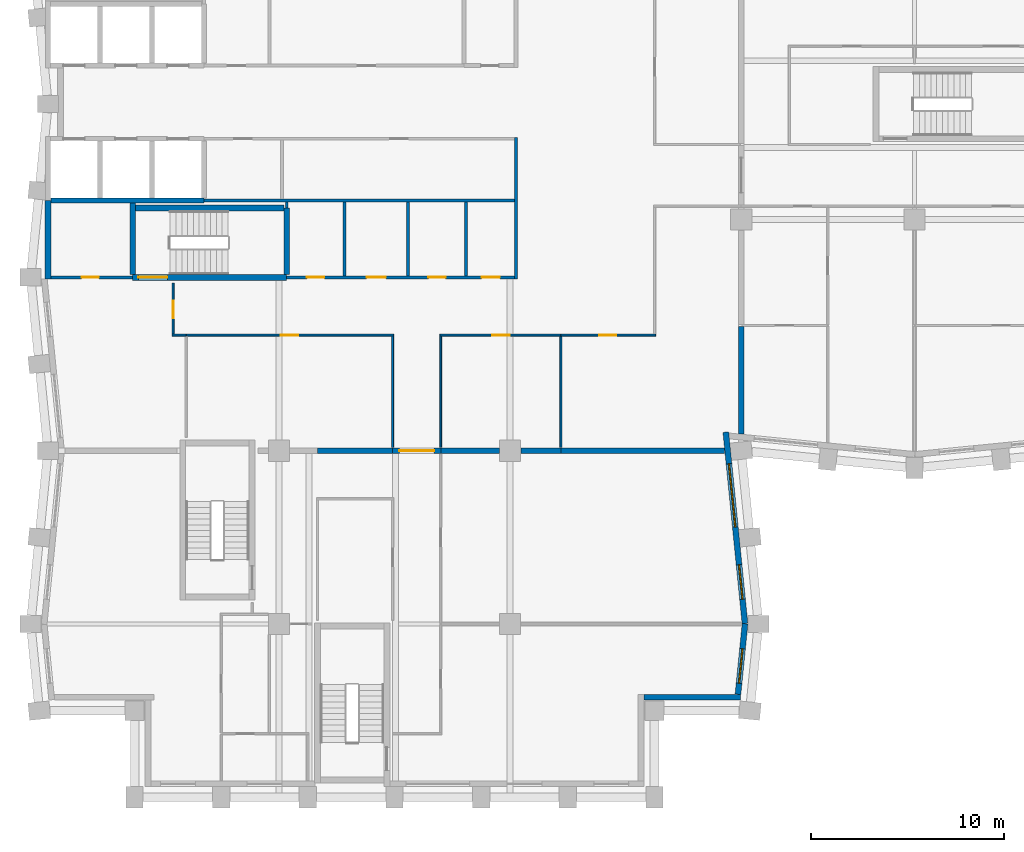
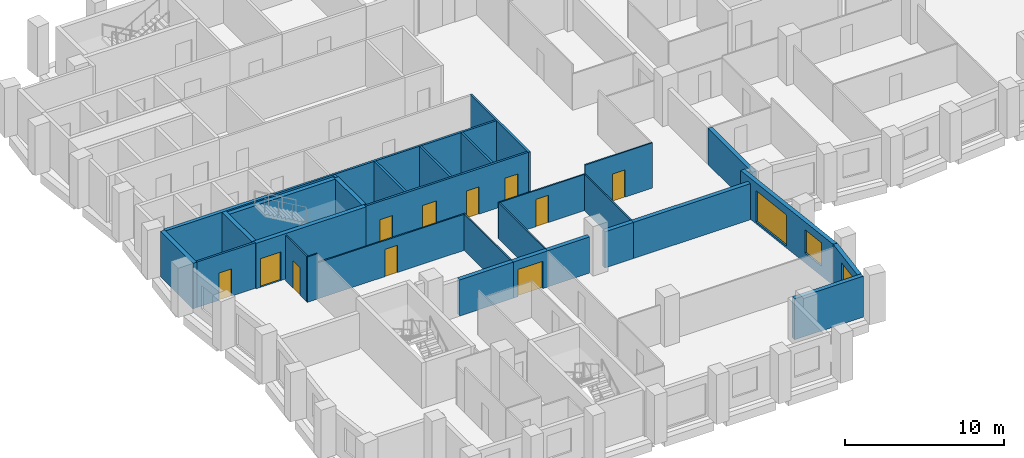
# One storey, part 4 of 10: 31 walls, 11 doors, 3 windows, 14 openings.
"""IFC4 building model written with IfcOpenShell, lengths in metres."""

from ifc_helpers import new_model, si_unit, direction, frame, frame_2d, origin, place, context, subcontext, project, spatial, rectangle, extrude, material, layer, layer_set, type_object, element, fill, save


model = new_model("IFC4")

# Units and contexts
model_context = context("Model", 3, precision=1e-05, world=origin(), true_north=direction((0.0, 1.0)))
body_context = subcontext(model_context, "Body", "Model", "MODEL_VIEW")
ifc_project = project(units=[si_unit("LENGTHUNIT", "METRE"), si_unit("AREAUNIT", "SQUARE_METRE"), si_unit("VOLUMEUNIT", "CUBIC_METRE"), si_unit("PLANEANGLEUNIT", "RADIAN"), si_unit("MASSUNIT", "GRAM", prefix="KILO")], contexts=[model_context])

# Site, building, storey
site_placement = place(None, origin())
site = spatial("IfcSite", under=ifc_project, at=site_placement, CompositionType="ELEMENT")
building_placement = place(site_placement, origin())
building = spatial("IfcBuilding", under=site, at=building_placement, Name="Brondeck Convention Tower", CompositionType="ELEMENT")
storey_placement = place(building_placement, frame((0.0, 0.0, 166.199951171875)))
storey = spatial("IfcBuildingStorey", under=building, at=storey_placement, Name="L40", CompositionType="ELEMENT", Elevation=166.199951171875)

# Wall
ifc_material_1 = material(Name="Concrete compartment wall C30/37", Category="concrete")
ifc_layer_1 = layer(ifc_material_1, 0.300048828125)
ifc_layer_set_1 = layer_set([ifc_layer_1], Name="Compartment wall 300")
wall_type_1 = type_object("IfcWallType", Name="Compartment wall 300", PredefinedType="PARTITIONING", material=ifc_layer_set_1)
wall_1_placement = place(storey_placement, frame((14.0, 27.0, 0.0), z_axis=(0.0, 0.0, 1.0), x_axis=(1.0, 0.0, 0.0)))
element("IfcWall", 1, at=wall_1_placement, inside=storey, type_object=wall_type_1, Name="FLR-L40-W023", PredefinedType="PARTITIONING", context=body_context, shape_type="SweptSolid", body=[
    extrude(rectangle(XDim=3.89990234375, YDim=0.300048828125, at=frame_2d((1.949951171875, 0.0))), origin(), (0.0, 0.0, 1.0), 2.780029296875),
])

# Wall, opening, door
wall_2_placement = place(storey_placement, frame((20.39990234375, 27.0, 0.0), z_axis=(0.0, 0.0, 1.0), x_axis=(-1.0, 0.0, 0.0)))
wall_2 = element("IfcWall", 2, at=wall_2_placement, inside=storey, type_object=wall_type_1, Name="FLR-L40-W024", PredefinedType="PARTITIONING", context=body_context, shape_type="SweptSolid", body=[
    extrude(rectangle(XDim=2.5, YDim=0.300048828125, at=frame_2d((1.25, 0.0))), origin(), (0.0, 0.0, 1.0), 2.780029296875),
])
opening_1_placement = place(wall_2_placement, frame((0.35009765625, 0.0, 0.0)))
opening_1 = element("IfcOpeningElement", 3, at=opening_1_placement, cuts=wall_2, Name="Opening OF-H-022", PredefinedType="OPENING", context=body_context, shape_type="SweptSolid", body=[
    extrude(rectangle(XDim=1.800048828125, YDim=2.10009765625, at=frame_2d((0.89990234375, 1.050048828125))), frame((0.0, 0.159912109375, 0.0), z_axis=(0.0, -1.0, 0.0), x_axis=(1.0, 0.0, 0.0)), (0.0, 0.0, 1.0), 0.320068359375),
])
ifc_material_2 = material(Name="Steel fire door pair", Category="steel")
door_type_1 = type_object("IfcDoorType", Name="Fire door pair 1800", OperationType="DOUBLE_DOOR_SINGLE_SWING", PredefinedType="DOOR", material=ifc_material_2)
door_1_placement = place(opening_1_placement, origin())
door_1 = element("IfcDoor", 4, at=door_1_placement, inside=storey, type_object=door_type_1, Name="Door OF-H-022", OperationType="DOUBLE_DOOR_SINGLE_SWING", OverallHeight=2.10009765625, OverallWidth=1.800048828125, PredefinedType="DOOR", context=body_context, shape_type="SweptSolid", body=[
    extrude(rectangle(XDim=1.800048828125, YDim=2.10009765625, at=frame_2d((0.89990234375, 1.050048828125))), frame((0.0, 0.02490234375, 0.0), z_axis=(0.0, -1.0, 0.0), x_axis=(1.0, 0.0, 0.0)), (0.0, 0.0, 1.0), 0.050048828125),
])
fill(opening_1, door_1)

# Walls
wall_3_placement = place(storey_placement, frame((20.39990234375, 27.0, 0.0), z_axis=(0.0, 0.0, 1.0), x_axis=(1.0, 0.0, 0.0)))
element("IfcWall", 5, at=wall_3_placement, inside=storey, type_object=wall_type_1, Name="FLR-L40-W025", PredefinedType="PARTITIONING", context=body_context, shape_type="SweptSolid", body=[
    extrude(rectangle(XDim=3.045166015625, YDim=0.300048828125, at=frame_2d((1.5224609375, 0.0))), origin(), (0.0, 0.0, 1.0), 2.780029296875),
])
wall_4_placement = place(storey_placement, frame((24.554931640625, 27.0, 0.0), z_axis=(0.0, 0.0, 1.0), x_axis=(1.0, 0.0, 0.0)))
element("IfcWall", 6, at=wall_4_placement, inside=storey, type_object=wall_type_1, Name="FLR-L40-W026", PredefinedType="PARTITIONING", context=body_context, shape_type="SweptSolid", body=[
    extrude(rectangle(XDim=2.0849609375, YDim=0.300048828125, at=frame_2d((1.04248046875, 0.0))), origin(), (0.0, 0.0, 1.0), 2.780029296875),
])
wall_5_placement = place(storey_placement, frame((26.639892578125, 27.0, 0.0), z_axis=(0.0, 0.0, 1.0), x_axis=(1.0, 0.0, 0.0)))
element("IfcWall", 7, at=wall_5_placement, inside=storey, type_object=wall_type_1, Name="FLR-L40-W027", PredefinedType="PARTITIONING", context=body_context, shape_type="SweptSolid", body=[
    extrude(rectangle(XDim=8.48583984375, YDim=0.300048828125, at=frame_2d((4.242919921875, 0.0))), origin(), (0.0, 0.0, 1.0), 2.780029296875),
])
wall_6_placement = place(storey_placement, frame((36.0, 27.874267578125, 0.0), z_axis=(0.0, 0.0, 1.0), x_axis=(0.0, 1.0, 0.0)))
element("IfcWall", 8, at=wall_6_placement, inside=storey, type_object=wall_type_1, Name="FLR-L40-W030", PredefinedType="PARTITIONING", context=body_context, shape_type="SweptSolid", body=[
    extrude(rectangle(XDim=5.57568359375, YDim=0.300048828125, at=frame_2d((2.787841796875, 0.0))), origin(), (0.0, 0.0, 1.0), 2.780029296875),
])

# Wall, openings, doors
ifc_material_3 = material(Name="Concrete C70/85", Category="concrete")
ifc_layer_2 = layer(ifc_material_3, 0.14990234375)
ifc_layer_set_2 = layer_set([ifc_layer_2], Name="Core beam-seat wall 150 Concrete C70/85")
wall_type_2 = type_object("IfcWallType", Name="Core beam-seat wall 150 Concrete C70/85", PredefinedType="SHEAR", material=ifc_layer_set_2)
wall_7_placement = place(storey_placement, frame((12.39990234375, 36.0, 0.0), z_axis=(0.0, 0.0, 1.0), x_axis=(1.0, 0.0, 0.0)))
wall_7 = element("IfcWall", 9, at=wall_7_placement, inside=storey, type_object=wall_type_2, Name="L40 core wall", PredefinedType="SHEAR", context=body_context, shape_type="SweptSolid", body=[
    extrude(rectangle(XDim=11.8251953125, YDim=0.14990234375, at=frame_2d((5.91259765625, 0.0))), origin(), (0.0, 0.0, 1.0), 3.5),
])
opening_2_placement = place(wall_7_placement, frame((1.050048828125, 0.0, 0.0)))
opening_2 = element("IfcOpeningElement", 10, at=opening_2_placement, cuts=wall_7, Name="Opening C23-03", PredefinedType="OPENING", context=body_context, shape_type="SweptSolid", body=[
    extrude(rectangle(XDim=0.89990234375, YDim=2.10009765625, at=frame_2d((0.449951171875, 1.050048828125))), frame((0.0, 0.0849609375, 0.0), z_axis=(0.0, -1.0, 0.0), x_axis=(1.0, 0.0, 0.0)), (0.0, 0.0, 1.0), 0.169921875),
])
opening_3_placement = place(wall_7_placement, frame((4.14990234375, 0.0, 0.0)))
opening_3 = element("IfcOpeningElement", 11, at=opening_3_placement, cuts=wall_7, Name="Opening C23-04", PredefinedType="OPENING", context=body_context, shape_type="SweptSolid", body=[
    extrude(rectangle(XDim=1.0, YDim=2.10009765625, at=frame_2d((0.5, 1.050048828125))), frame((0.0, 0.0849609375, 0.0), z_axis=(0.0, -1.0, 0.0), x_axis=(1.0, 0.0, 0.0)), (0.0, 0.0, 1.0), 0.169921875),
])
opening_4_placement = place(wall_7_placement, frame((7.35009765625, 0.0, 0.0)))
opening_4 = element("IfcOpeningElement", 12, at=opening_4_placement, cuts=wall_7, Name="Opening C23-05", PredefinedType="OPENING", context=body_context, shape_type="SweptSolid", body=[
    extrude(rectangle(XDim=0.89990234375, YDim=2.10009765625, at=frame_2d((0.449951171875, 1.050048828125))), frame((0.0, 0.0849609375, 0.0), z_axis=(0.0, -1.0, 0.0), x_axis=(1.0, 0.0, 0.0)), (0.0, 0.0, 1.0), 0.169921875),
])
opening_5_placement = place(wall_7_placement, frame((10.125, 0.0, 0.0)))
opening_5 = element("IfcOpeningElement", 13, at=opening_5_placement, cuts=wall_7, Name="Opening C23-06", PredefinedType="OPENING", context=body_context, shape_type="SweptSolid", body=[
    extrude(rectangle(XDim=0.949951171875, YDim=2.10009765625, at=frame_2d((0.47509765625, 1.050048828125))), frame((0.0, 0.0849609375, 0.0), z_axis=(0.0, -1.0, 0.0), x_axis=(1.0, 0.0, 0.0)), (0.0, 0.0, 1.0), 0.169921875),
])
ifc_material_4 = material(Name="Steel fire door", Category="steel")
door_type_2 = type_object("IfcDoorType", Name="Room door 1000x2100 EI 60", OperationType="NOTDEFINED", PredefinedType="DOOR", material=ifc_material_4)
door_2_placement = place(opening_3_placement, origin())
door_2 = element("IfcDoor", 14, at=door_2_placement, inside=storey, type_object=door_type_2, Name="L40 Room door FR-2", OperationType="SINGLE_SWING_LEFT", OverallHeight=2.10009765625, OverallWidth=1.0, PredefinedType="DOOR", context=body_context, shape_type="SweptSolid", body=[
    extrude(rectangle(XDim=1.0, YDim=2.10009765625, at=frame_2d((0.5, 1.050048828125))), frame((0.0, 0.02490234375, 0.0), z_axis=(0.0, -1.0, 0.0), x_axis=(1.0, 0.0, 0.0)), (0.0, 0.0, 1.0), 0.050048828125),
])
fill(opening_3, door_2)
door_type_3 = type_object("IfcDoorType", Name="Room door 900x2100 EI 60", OperationType="NOTDEFINED", PredefinedType="DOOR", material=ifc_material_4)
door_3_placement = place(opening_2_placement, origin())
door_3 = element("IfcDoor", 15, at=door_3_placement, inside=storey, type_object=door_type_3, Name="L40 Room door FR-1", OperationType="SINGLE_SWING_RIGHT", OverallHeight=2.10009765625, OverallWidth=0.89990234375, PredefinedType="DOOR", context=body_context, shape_type="SweptSolid", body=[
    extrude(rectangle(XDim=0.89990234375, YDim=2.10009765625, at=frame_2d((0.449951171875, 1.050048828125))), frame((0.0, 0.02490234375, 0.0), z_axis=(0.0, -1.0, 0.0), x_axis=(1.0, 0.0, 0.0)), (0.0, 0.0, 1.0), 0.050048828125),
])
fill(opening_2, door_3)
door_4_placement = place(opening_4_placement, origin())
door_4 = element("IfcDoor", 16, at=door_4_placement, inside=storey, type_object=door_type_3, Name="L40 Room door FR-3", OperationType="SINGLE_SWING_RIGHT", OverallHeight=2.10009765625, OverallWidth=0.89990234375, PredefinedType="DOOR", context=body_context, shape_type="SweptSolid", body=[
    extrude(rectangle(XDim=0.89990234375, YDim=2.10009765625, at=frame_2d((0.449951171875, 1.050048828125))), frame((0.0, 0.02490234375, 0.0), z_axis=(0.0, -1.0, 0.0), x_axis=(1.0, 0.0, 0.0)), (0.0, 0.0, 1.0), 0.050048828125),
])
fill(opening_4, door_4)
door_type_4 = type_object("IfcDoorType", Name="Room door 950x2100 EI 60", OperationType="NOTDEFINED", PredefinedType="DOOR", material=ifc_material_4)
door_5_placement = place(opening_5_placement, origin())
door_5 = element("IfcDoor", 17, at=door_5_placement, inside=storey, type_object=door_type_4, Name="L40 Room door FR-4", OperationType="SINGLE_SWING_LEFT", OverallHeight=2.10009765625, OverallWidth=0.949951171875, PredefinedType="DOOR", context=body_context, shape_type="SweptSolid", body=[
    extrude(rectangle(XDim=0.949951171875, YDim=2.10009765625, at=frame_2d((0.47509765625, 1.050048828125))), frame((0.0, 0.02490234375, 0.0), z_axis=(0.0, -1.0, 0.0), x_axis=(1.0, 0.0, 0.0)), (0.0, 0.0, 1.0), 0.050048828125),
])
fill(opening_5, door_5)

# Wall
ifc_layer_3 = layer(ifc_material_3, 0.300048828125)
ifc_layer_set_3 = layer_set([ifc_layer_3], Name="Core outer wall 300 Concrete C70/85")
wall_type_3 = type_object("IfcWallType", Name="Core outer wall 300 Concrete C70/85", PredefinedType="SHEAR", material=ifc_layer_set_3)
wall_8_placement = place(storey_placement, frame((0.0, 35.925048828125, 0.0), z_axis=(0.0, 0.0, 1.0), x_axis=(0.0, 1.0, 0.0)))
element("IfcWall", 18, at=wall_8_placement, inside=storey, type_object=wall_type_3, Name="L40 core wall", PredefinedType="SHEAR", context=body_context, shape_type="SweptSolid", body=[
    extrude(rectangle(XDim=4.074951171875, YDim=0.300048828125, at=frame_2d((2.03759765625, 0.0))), origin(), (0.0, 0.0, 1.0), 3.5),
])

# Wall, opening, door
ifc_material_5 = material(Name="Fire-rated gypsum board partition")
ifc_layer_4 = layer(ifc_material_5, 0.14990234375)
ifc_layer_set_4 = layer_set([ifc_layer_4], Name="Core partition 150 EI 60")
wall_type_4 = type_object("IfcWallType", Name="Core partition 150 EI 60", PredefinedType="PARTITIONING", material=ifc_layer_set_4)
wall_9_placement = place(storey_placement, frame((0.14990234375, 36.0, 0.0), z_axis=(0.0, 0.0, 1.0), x_axis=(1.0, 0.0, 0.0)))
wall_9 = element("IfcWall", 19, at=wall_9_placement, inside=storey, type_object=wall_type_4, Name="L40 core wall", PredefinedType="PARTITIONING", context=body_context, shape_type="SweptSolid", body=[
    extrude(rectangle(XDim=4.25, YDim=0.14990234375, at=frame_2d((2.125, 0.0))), origin(), (0.0, 0.0, 1.0), 3.5),
])
opening_6_placement = place(wall_9_placement, frame((1.60009765625, 0.0, 0.0)))
opening_6 = element("IfcOpeningElement", 20, at=opening_6_placement, cuts=wall_9, Name="Opening C23-07", PredefinedType="OPENING", context=body_context, shape_type="SweptSolid", body=[
    extrude(rectangle(XDim=0.89990234375, YDim=2.10009765625, at=frame_2d((0.449951171875, 1.050048828125))), frame((0.0, 0.0849609375, 0.0), z_axis=(0.0, -1.0, 0.0), x_axis=(1.0, 0.0, 0.0)), (0.0, 0.0, 1.0), 0.169921875),
])
door_6_placement = place(opening_6_placement, origin())
door_6 = element("IfcDoor", 21, at=door_6_placement, inside=storey, type_object=door_type_3, Name="L40 Room door FRW-1", OperationType="SINGLE_SWING_LEFT", OverallHeight=2.10009765625, OverallWidth=0.89990234375, PredefinedType="DOOR", context=body_context, shape_type="SweptSolid", body=[
    extrude(rectangle(XDim=0.89990234375, YDim=2.10009765625, at=frame_2d((0.449951171875, 1.050048828125))), frame((0.0, 0.02490234375, 0.0), z_axis=(0.0, -1.0, 0.0), x_axis=(1.0, 0.0, 0.0)), (0.0, 0.0, 1.0), 0.050048828125),
])
fill(opening_6, door_6)

# Walls
wall_10_placement = place(storey_placement, frame((8.10009765625, 40.0, 0.0), z_axis=(0.0, 0.0, 1.0), x_axis=(1.0, 0.0, 0.0)))
element("IfcWall", 22, at=wall_10_placement, inside=storey, type_object=wall_type_4, Name="L40 core wall", PredefinedType="PARTITIONING", context=body_context, shape_type="SweptSolid", body=[
    extrude(rectangle(XDim=16.125, YDim=0.14990234375, at=frame_2d((8.0625, 0.0))), origin(), (0.0, 0.0, 1.0), 3.5),
])
wall_11_placement = place(storey_placement, frame((12.39990234375, 39.60009765625, 0.0), z_axis=(0.0, 0.0, 1.0), x_axis=(0.0, 1.0, 0.0)))
element("IfcWall", 23, at=wall_11_placement, inside=storey, type_object=wall_type_4, Name="L40 core wall", PredefinedType="PARTITIONING", context=body_context, shape_type="SweptSolid", body=[
    extrude(rectangle(XDim=0.324951171875, YDim=0.14990234375, at=frame_2d((0.16259765625, 0.0))), origin(), (0.0, 0.0, 1.0), 3.5),
])
for number, where, z_axis, x_axis, name in (
    (24, (15.39990234375, 36.074951171875, 0.0), (0.0, 0.0, 1.0), (0.0, 1.0, 0.0), "L40 core wall"),
    (25, (18.699951171875, 36.074951171875, 0.0), (0.0, 0.0, 1.0), (0.0, 1.0, 0.0), "L40 core wall"),
    (26, (21.699951171875, 36.074951171875, 0.0), (0.0, 0.0, 1.0), (0.0, 1.0, 0.0), "L40 core wall"),
):
    element("IfcWall", number, at=place(storey_placement, frame(where, z_axis=z_axis, x_axis=x_axis)), inside=storey, type_object=wall_type_4, Name=name, PredefinedType="PARTITIONING", context=body_context, shape_type="SweptSolid", body=[
        extrude(rectangle(XDim=3.85009765625, YDim=0.14990234375, at=frame_2d((1.925048828125, 0.0))), origin(), (0.0, 0.0, 1.0), 3.5),
    ])
wall_12_placement = place(storey_placement, frame((24.300048828125, 35.925048828125, 0.0), z_axis=(0.0, 0.0, 1.0), x_axis=(0.0, 1.0, 0.0)))
element("IfcWall", 27, at=wall_12_placement, inside=storey, type_object=wall_type_4, Name="L40 core wall", PredefinedType="PARTITIONING", context=body_context, shape_type="SweptSolid", body=[
    extrude(rectangle(XDim=7.349853515625, YDim=0.14990234375, at=frame_2d((3.6748046875, 0.0))), origin(), (0.0, 0.0, 1.0), 3.5),
])
ifc_material_6 = material(Name="Precast concrete C50/60 bronze finish", Category="concrete")
ifc_layer_5 = layer(ifc_material_6, 0.070068359375, Name="Bronze precast facing")
ifc_material_7 = material(Name="Mineral wool")
ifc_layer_6 = layer(ifc_material_7, 0.159912109375, Name="Insulation")
ifc_material_8 = material(Name="Concrete C35/45", Category="concrete")
ifc_layer_7 = layer(ifc_material_8, 0.070068359375, Name="Backing")
ifc_layer_set_5 = layer_set([ifc_layer_5, ifc_layer_6, ifc_layer_7], Name="External infill wall, precast concrete C50/60 bronze facing")
wall_type_5 = type_object("IfcWallType", Name="External infill wall, precast concrete C50/60 bronze facing", PredefinedType="SOLIDWALL", material=ifc_layer_set_5)
wall_13_placement = place(storey_placement, frame((35.952392578125, 14.199951171875, 0.0), z_axis=(0.0, 0.0, 1.0), x_axis=(-1.0, 0.0, 0.0)))
element("IfcWall", 28, at=wall_13_placement, inside=storey, type_object=wall_type_5, Name="ENV-EW-L40-P1-NC-SEB9-02", PredefinedType="SOLIDWALL", context=body_context, shape_type="SweptSolid", body=[
    extrude(rectangle(XDim=5.00244140625, YDim=0.300048828125, at=frame_2d((2.501220703125, 0.0))), origin(), (0.0, 0.0, 1.0), 3.150146484375),
])

# Wall, opening, window
wall_14_placement = place(storey_placement, frame((36.197998046875, 18.014892578125, 0.0), z_axis=(0.0, 0.0, 1.0), x_axis=(-0.099529980022, -0.99503456376, 0.0)))
wall_14 = element("IfcWall", 29, at=wall_14_placement, inside=storey, type_object=wall_type_5, Name="ENV-EW-L40-P1-B-E-02", PredefinedType="SOLIDWALL", context=body_context, shape_type="SweptSolid", body=[
    extrude(rectangle(XDim=3.681884765625, YDim=0.300048828125, at=frame_2d((1.8408203125, 0.0))), origin(), (0.0, 0.0, 1.0), 3.150146484375),
])
opening_7_placement = place(wall_14_placement, frame((1.30615234375, 0.0, 0.75)))
opening_7 = element("IfcOpeningElement", 30, at=opening_7_placement, cuts=wall_14, Name="Opening W10", PredefinedType="OPENING", context=body_context, shape_type="SweptSolid", body=[
    extrude(rectangle(XDim=1.800048828125, YDim=1.800048828125, at=frame_2d((0.89990234375, 0.89990234375))), frame((0.0, 0.159912109375, 0.0), z_axis=(0.0, -1.0, 0.0), x_axis=(1.0, 0.0, 0.0)), (0.0, 0.0, 1.0), 0.320068359375),
])
ifc_material_9 = material(Name="Bronze tinted double glazing", Category="glass")
window_type_1 = type_object("IfcWindowType", Name="Punched window, bronze tinted", PartitioningType="SINGLE_PANEL", PredefinedType="WINDOW", material=ifc_material_9)
window_1_placement = place(opening_7_placement, origin())
window_1 = element("IfcWindow", 31, at=window_1_placement, inside=storey, type_object=window_type_1, Name="ENV-WN-L40-P1-B-E-02", OverallHeight=1.800048828125, OverallWidth=1.800048828125, PartitioningType="SINGLE_PANEL", PredefinedType="WINDOW", context=body_context, shape_type="SweptSolid", body=[
    extrude(rectangle(XDim=1.800048828125, YDim=1.800048828125, at=frame_2d((0.89990234375, 0.89990234375))), frame((0.0, 0.030029296875, 0.0), z_axis=(0.0, -1.0, 0.0), x_axis=(1.0, 0.0, 0.0)), (0.0, 0.0, 1.0), 0.06005859375),
])
fill(opening_7, window_1)

# Wall, openings, windows
wall_15_placement = place(storey_placement, frame((35.2001953125, 27.964111328125, 0.0), z_axis=(0.0, 0.0, 1.0), x_axis=(0.099501297882, -0.995037432321, 0.0)))
wall_15 = element("IfcWall", 32, at=wall_15_placement, inside=storey, type_object=wall_type_5, Name="ENV-EW-L40-P1-B-E-01", PredefinedType="SOLIDWALL", context=body_context, shape_type="SweptSolid", body=[
    extrude(rectangle(XDim=9.98388671875, YDim=0.300048828125, at=frame_2d((4.991943359375, 0.0))), origin(), (0.0, 0.0, 1.0), 3.150146484375),
])
opening_8_placement = place(wall_15_placement, frame((1.650146484375, 0.0, 0.14990234375)))
opening_8 = element("IfcOpeningElement", 33, at=opening_8_placement, cuts=wall_15, Name="Opening W9", PredefinedType="OPENING", context=body_context, shape_type="SweptSolid", body=[
    extrude(rectangle(XDim=3.300048828125, YDim=2.39990234375, at=frame_2d((1.64990234375, 1.199951171875))), frame((0.0, 0.159912109375, 0.0), z_axis=(0.0, -1.0, 0.0), x_axis=(1.0, 0.0, 0.0)), (0.0, 0.0, 1.0), 0.320068359375),
])
opening_9_placement = place(wall_15_placement, frame((6.922607421875, 0.0, 0.75)))
opening_9 = element("IfcOpeningElement", 34, at=opening_9_placement, cuts=wall_15, Name="Opening W10", PredefinedType="OPENING", context=body_context, shape_type="SweptSolid", body=[
    extrude(rectangle(XDim=1.800048828125, YDim=1.800048828125, at=frame_2d((0.89990234375, 0.89990234375))), frame((0.0, 0.159912109375, 0.0), z_axis=(0.0, -1.0, 0.0), x_axis=(1.0, 0.0, 0.0)), (0.0, 0.0, 1.0), 0.320068359375),
])
window_type_2 = type_object("IfcWindowType", Name="Glazed flute window, bronze tinted", PartitioningType="SINGLE_PANEL", PredefinedType="WINDOW", material=ifc_material_9)
window_2_placement = place(opening_8_placement, origin())
window_2 = element("IfcWindow", 35, at=window_2_placement, inside=storey, type_object=window_type_2, Name="ENV-WN-L40-P1-B-E-00", OverallHeight=2.39990234375, OverallWidth=3.300048828125, PartitioningType="SINGLE_PANEL", PredefinedType="WINDOW", context=body_context, shape_type="SweptSolid", body=[
    extrude(rectangle(XDim=3.300048828125, YDim=2.39990234375, at=frame_2d((1.64990234375, 1.199951171875))), frame((0.0, 0.030029296875, 0.0), z_axis=(0.0, -1.0, 0.0), x_axis=(1.0, 0.0, 0.0)), (0.0, 0.0, 1.0), 0.06005859375),
])
fill(opening_8, window_2)
window_3_placement = place(opening_9_placement, origin())
window_3 = element("IfcWindow", 36, at=window_3_placement, inside=storey, type_object=window_type_1, Name="ENV-WN-L40-P1-B-E-01", OverallHeight=1.800048828125, OverallWidth=1.800048828125, PartitioningType="SINGLE_PANEL", PredefinedType="WINDOW", context=body_context, shape_type="SweptSolid", body=[
    extrude(rectangle(XDim=1.800048828125, YDim=1.800048828125, at=frame_2d((0.89990234375, 0.89990234375))), frame((0.0, 0.030029296875, 0.0), z_axis=(0.0, -1.0, 0.0), x_axis=(1.0, 0.0, 0.0)), (0.0, 0.0, 1.0), 0.06005859375),
])
fill(opening_9, window_3)

# Walls
ifc_layer_8 = layer(ifc_material_3, 0.25)
ifc_layer_set_6 = layer_set([ifc_layer_8], Name="Lift shaft wall 250 Concrete C70/85")
wall_type_6 = type_object("IfcWallType", Name="Lift shaft wall 250 Concrete C70/85", PredefinedType="SHEAR", material=ifc_layer_set_6)
wall_16_placement = place(storey_placement, frame((0.14990234375, 40.0, 0.0), z_axis=(0.0, 0.0, 1.0), x_axis=(1.0, 0.0, 0.0)))
element("IfcWall", 37, at=wall_16_placement, inside=storey, type_object=wall_type_6, Name="L40 core wall", PredefinedType="SHEAR", context=body_context, shape_type="SweptSolid", body=[
    extrude(rectangle(XDim=7.9501953125, YDim=0.25, at=frame_2d((3.97509765625, 0.0))), origin(), (0.0, 0.0, 1.0), 3.5),
])
ifc_material_10 = material(Name="Gypsum board partition on steel studs", Category="steel")
ifc_layer_9 = layer(ifc_material_10, 0.10009765625)
ifc_layer_set_7 = layer_set([ifc_layer_9], Name="Room partition 100")
wall_type_7 = type_object("IfcWallType", Name="Room partition 100", PredefinedType="PARTITIONING", material=ifc_layer_set_7)
for number, where, z_axis, x_axis, name in (
    (38, (17.89990234375, 27.169921875, 0.0), (0.0, 0.0, 1.0), (0.0, 1.0, 0.0), "FLR-L40-W028"),
    (39, (20.39990234375, 32.949951171875, 0.0), (0.0, 0.0, 1.0), (0.0, -1.0, 0.0), "FLR-L40-W032"),
    (40, (26.639892578125, 32.949951171875, 0.0), (0.0, 0.0, 1.0), (0.0, -1.0, 0.0), "FLR-L40-W033"),
):
    element("IfcWall", number, at=place(storey_placement, frame(where, z_axis=z_axis, x_axis=x_axis)), inside=storey, type_object=wall_type_7, Name=name, PredefinedType="PARTITIONING", context=body_context, shape_type="SweptSolid", body=[
        extrude(rectangle(XDim=5.780029296875, YDim=0.10009765625, at=frame_2d((2.89013671875, 0.0))), origin(), (0.0, 0.0, 1.0), 2.780029296875),
    ])
wall_17_placement = place(storey_placement, frame((7.172119140625, 33.0, 0.0), z_axis=(0.0, 0.0, 1.0), x_axis=(-1.0, 0.0, 0.0)))
element("IfcWall", 41, at=wall_17_placement, inside=storey, type_object=wall_type_7, Name="FLR-L40-W034", PredefinedType="PARTITIONING", context=body_context, shape_type="SweptSolid", body=[
    extrude(rectangle(XDim=0.72216796875, YDim=0.10009765625, at=frame_2d((0.361083984375, 0.0))), origin(), (0.0, 0.0, 1.0), 3.47998046875),
])

# Wall, opening, door
wall_18_placement = place(storey_placement, frame((17.949951171875, 33.0, 0.0), z_axis=(0.0, 0.0, 1.0), x_axis=(-1.0, 0.0, 0.0)))
wall_18 = element("IfcWall", 42, at=wall_18_placement, inside=storey, type_object=wall_type_7, Name="FLR-L40-W035", PredefinedType="PARTITIONING", context=body_context, shape_type="SweptSolid", body=[
    extrude(rectangle(XDim=10.77783203125, YDim=0.10009765625, at=frame_2d((5.388916015625, 0.0))), origin(), (0.0, 0.0, 1.0), 2.780029296875),
])
opening_10_placement = place(wall_18_placement, frame((4.964111328125, 0.0, 0.0)))
opening_10 = element("IfcOpeningElement", 43, at=opening_10_placement, cuts=wall_18, Name="Opening OF-H-016", PredefinedType="OPENING", context=body_context, shape_type="SweptSolid", body=[
    extrude(rectangle(XDim=0.89990234375, YDim=2.10009765625, at=frame_2d((0.449951171875, 1.050048828125))), frame((0.0, 0.06005859375, 0.0), z_axis=(0.0, -1.0, 0.0), x_axis=(1.0, 0.0, 0.0)), (0.0, 0.0, 1.0), 0.1201171875),
])
ifc_material_11 = material(Name="Solid timber door leaf", Category="wood")
door_type_5 = type_object("IfcDoorType", Name="Single door 900", OperationType="NOTDEFINED", PredefinedType="DOOR", material=ifc_material_11)
door_7_placement = place(opening_10_placement, origin())
door_7 = element("IfcDoor", 44, at=door_7_placement, inside=storey, type_object=door_type_5, Name="Door OF-H-016", OperationType="SINGLE_SWING_LEFT", OverallHeight=2.10009765625, OverallWidth=0.89990234375, PredefinedType="DOOR", context=body_context, shape_type="SweptSolid", body=[
    extrude(rectangle(XDim=0.89990234375, YDim=2.10009765625, at=frame_2d((0.449951171875, 1.050048828125))), frame((0.0, 0.02490234375, 0.0), z_axis=(0.0, -1.0, 0.0), x_axis=(1.0, 0.0, 0.0)), (0.0, 0.0, 1.0), 0.050048828125),
])
fill(opening_10, door_7)

wall_19_placement = place(storey_placement, frame((26.639892578125, 33.0, 0.0), z_axis=(0.0, 0.0, 1.0), x_axis=(-1.0, 0.0, 0.0)))
wall_19 = element("IfcWall", 45, at=wall_19_placement, inside=storey, type_object=wall_type_7, Name="FLR-L40-W036", PredefinedType="PARTITIONING", context=body_context, shape_type="SweptSolid", body=[
    extrude(rectangle(XDim=6.289794921875, YDim=0.10009765625, at=frame_2d((3.14501953125, 0.0))), origin(), (0.0, 0.0, 1.0), 2.780029296875),
])
opening_11_placement = place(wall_19_placement, frame((2.669921875, 0.0, 0.0)))
opening_11 = element("IfcOpeningElement", 46, at=opening_11_placement, cuts=wall_19, Name="Opening OF-H-017", PredefinedType="OPENING", context=body_context, shape_type="SweptSolid", body=[
    extrude(rectangle(XDim=0.89990234375, YDim=2.10009765625, at=frame_2d((0.449951171875, 1.050048828125))), frame((0.0, 0.06005859375, 0.0), z_axis=(0.0, -1.0, 0.0), x_axis=(1.0, 0.0, 0.0)), (0.0, 0.0, 1.0), 0.1201171875),
])
door_8_placement = place(opening_11_placement, origin())
door_8 = element("IfcDoor", 47, at=door_8_placement, inside=storey, type_object=door_type_5, Name="Door OF-H-017", OperationType="SINGLE_SWING_LEFT", OverallHeight=2.10009765625, OverallWidth=0.89990234375, PredefinedType="DOOR", context=body_context, shape_type="SweptSolid", body=[
    extrude(rectangle(XDim=0.89990234375, YDim=2.10009765625, at=frame_2d((0.449951171875, 1.050048828125))), frame((0.0, 0.02490234375, 0.0), z_axis=(0.0, -1.0, 0.0), x_axis=(1.0, 0.0, 0.0)), (0.0, 0.0, 1.0), 0.050048828125),
])
fill(opening_11, door_8)

wall_20_placement = place(storey_placement, frame((31.550048828125, 33.0, 0.0), z_axis=(0.0, 0.0, 1.0), x_axis=(-1.0, 0.0, 0.0)))
wall_20 = element("IfcWall", 48, at=wall_20_placement, inside=storey, type_object=wall_type_7, Name="FLR-L40-W037", PredefinedType="PARTITIONING", context=body_context, shape_type="SweptSolid", body=[
    extrude(rectangle(XDim=4.91015625, YDim=0.10009765625, at=frame_2d((2.455078125, 0.0))), origin(), (0.0, 0.0, 1.0), 3.47998046875),
])
opening_12_placement = place(wall_20_placement, frame((2.030029296875, 0.0, 0.0)))
opening_12 = element("IfcOpeningElement", 49, at=opening_12_placement, cuts=wall_20, Name="Opening OF-H-018", PredefinedType="OPENING", context=body_context, shape_type="SweptSolid", body=[
    extrude(rectangle(XDim=0.89990234375, YDim=2.10009765625, at=frame_2d((0.449951171875, 1.050048828125))), frame((0.0, 0.06005859375, 0.0), z_axis=(0.0, -1.0, 0.0), x_axis=(1.0, 0.0, 0.0)), (0.0, 0.0, 1.0), 0.1201171875),
])
door_9_placement = place(opening_12_placement, origin())
door_9 = element("IfcDoor", 50, at=door_9_placement, inside=storey, type_object=door_type_5, Name="Door OF-H-018", OperationType="SINGLE_SWING_LEFT", OverallHeight=2.10009765625, OverallWidth=0.89990234375, PredefinedType="DOOR", context=body_context, shape_type="SweptSolid", body=[
    extrude(rectangle(XDim=0.89990234375, YDim=2.10009765625, at=frame_2d((0.449951171875, 1.050048828125))), frame((0.0, 0.02490234375, 0.0), z_axis=(0.0, -1.0, 0.0), x_axis=(1.0, 0.0, 0.0)), (0.0, 0.0, 1.0), 0.050048828125),
])
fill(opening_12, door_9)

wall_21_placement = place(storey_placement, frame((6.5, 33.050048828125, 0.0), z_axis=(0.0, 0.0, 1.0), x_axis=(0.0, 1.0, 0.0)))
wall_21 = element("IfcWall", 51, at=wall_21_placement, inside=storey, type_object=wall_type_7, Name="FLR-L40-W038", PredefinedType="PARTITIONING", context=body_context, shape_type="SweptSolid", body=[
    extrude(rectangle(XDim=2.64990234375, YDim=0.10009765625, at=frame_2d((1.324951171875, 0.0))), origin(), (0.0, 0.0, 1.0), 3.47998046875),
])
opening_13_placement = place(wall_21_placement, frame((0.824951171875, 0.0, 0.0)))
opening_13 = element("IfcOpeningElement", 52, at=opening_13_placement, cuts=wall_21, Name="Opening OF-H-015", PredefinedType="OPENING", context=body_context, shape_type="SweptSolid", body=[
    extrude(rectangle(XDim=0.89990234375, YDim=2.10009765625, at=frame_2d((0.449951171875, 1.050048828125))), frame((0.0, 0.06005859375, 0.0), z_axis=(0.0, -1.0, 0.0), x_axis=(1.0, 0.0, 0.0)), (0.0, 0.0, 1.0), 0.1201171875),
])
door_10_placement = place(opening_13_placement, origin())
door_10 = element("IfcDoor", 53, at=door_10_placement, inside=storey, type_object=door_type_5, Name="Door OF-H-015", OperationType="SINGLE_SWING_LEFT", OverallHeight=2.10009765625, OverallWidth=0.89990234375, PredefinedType="DOOR", context=body_context, shape_type="SweptSolid", body=[
    extrude(rectangle(XDim=0.89990234375, YDim=2.10009765625, at=frame_2d((0.449951171875, 1.050048828125))), frame((0.0, 0.02490234375, 0.0), z_axis=(0.0, -1.0, 0.0), x_axis=(1.0, 0.0, 0.0)), (0.0, 0.0, 1.0), 0.050048828125),
])
fill(opening_13, door_10)

ifc_layer_10 = layer(ifc_material_3, 0.300048828125)
ifc_layer_set_8 = layer_set([ifc_layer_10], Name="Stair enclosure wall 300 Concrete C70/85")
wall_type_8 = type_object("IfcWallType", Name="Stair enclosure wall 300 Concrete C70/85", PredefinedType="SHEAR", material=ifc_layer_set_8)
wall_22_placement = place(storey_placement, frame((4.39990234375, 36.0, 0.0), z_axis=(0.0, 0.0, 1.0), x_axis=(1.0, 0.0, 0.0)))
wall_22 = element("IfcWall", 54, at=wall_22_placement, inside=storey, type_object=wall_type_8, Name="L40 core wall", PredefinedType="SHEAR", context=body_context, shape_type="SweptSolid", body=[
    extrude(rectangle(XDim=8.0, YDim=0.300048828125, at=frame_2d((4.0, 0.0))), origin(), (0.0, 0.0, 1.0), 3.5),
])
opening_14_placement = place(wall_22_placement, frame((0.300048828125, 0.0, 0.0)))
opening_14 = element("IfcOpeningElement", 55, at=opening_14_placement, cuts=wall_22, Name="Opening C23-14", PredefinedType="OPENING", context=body_context, shape_type="SweptSolid", body=[
    extrude(rectangle(XDim=1.5, YDim=2.199951171875, at=frame_2d((0.75, 1.10009765625))), frame((0.0, 0.159912109375, 0.0), z_axis=(0.0, -1.0, 0.0), x_axis=(1.0, 0.0, 0.0)), (0.0, 0.0, 1.0), 0.320068359375),
])
door_type_6 = type_object("IfcDoorType", Name="Stair door 1500x2200 EI 90", OperationType="NOTDEFINED", PredefinedType="DOOR", material=ifc_material_4)
door_11_placement = place(opening_14_placement, origin())
door_11 = element("IfcDoor", 56, at=door_11_placement, inside=storey, type_object=door_type_6, Name="L40 Stair door ST-1", OperationType="SINGLE_SWING_RIGHT", OverallHeight=2.199951171875, OverallWidth=1.5, PredefinedType="DOOR", context=body_context, shape_type="SweptSolid", body=[
    extrude(rectangle(XDim=1.5, YDim=2.199951171875, at=frame_2d((0.75, 1.10009765625))), frame((0.0, 0.02490234375, 0.0), z_axis=(0.0, -1.0, 0.0), x_axis=(1.0, 0.0, 0.0)), (0.0, 0.0, 1.0), 0.050048828125),
])
fill(opening_14, door_11)

# Walls
wall_23_placement = place(storey_placement, frame((4.550048828125, 39.60009765625, 0.0), z_axis=(0.0, 0.0, 1.0), x_axis=(1.0, 0.0, 0.0)))
element("IfcWall", 57, at=wall_23_placement, inside=storey, type_object=wall_type_8, Name="L40 core wall", PredefinedType="SHEAR", context=body_context, shape_type="SweptSolid", body=[
    extrude(rectangle(XDim=7.699951171875, YDim=0.300048828125, at=frame_2d((3.85009765625, 0.0))), origin(), (0.0, 0.0, 1.0), 3.5),
])
wall_24_placement = place(storey_placement, frame((4.39990234375, 36.14990234375, 0.0), z_axis=(0.0, 0.0, 1.0), x_axis=(0.0, 1.0, 0.0)))
element("IfcWall", 58, at=wall_24_placement, inside=storey, type_object=wall_type_8, Name="L40 core wall", PredefinedType="SHEAR", context=body_context, shape_type="SweptSolid", body=[
    extrude(rectangle(XDim=3.72509765625, YDim=0.300048828125, at=frame_2d((1.862548828125, 0.0))), origin(), (0.0, 0.0, 1.0), 3.5),
])
wall_25_placement = place(storey_placement, frame((12.39990234375, 36.14990234375, 0.0), z_axis=(0.0, 0.0, 1.0), x_axis=(0.0, 1.0, 0.0)))
element("IfcWall", 59, at=wall_25_placement, inside=storey, type_object=wall_type_8, Name="L40 core wall", PredefinedType="SHEAR", context=body_context, shape_type="SweptSolid", body=[
    extrude(rectangle(XDim=3.4501953125, YDim=0.300048828125, at=frame_2d((1.72509765625, 0.0))), origin(), (0.0, 0.0, 1.0), 3.5),
])

save(model, "model.ifc")
